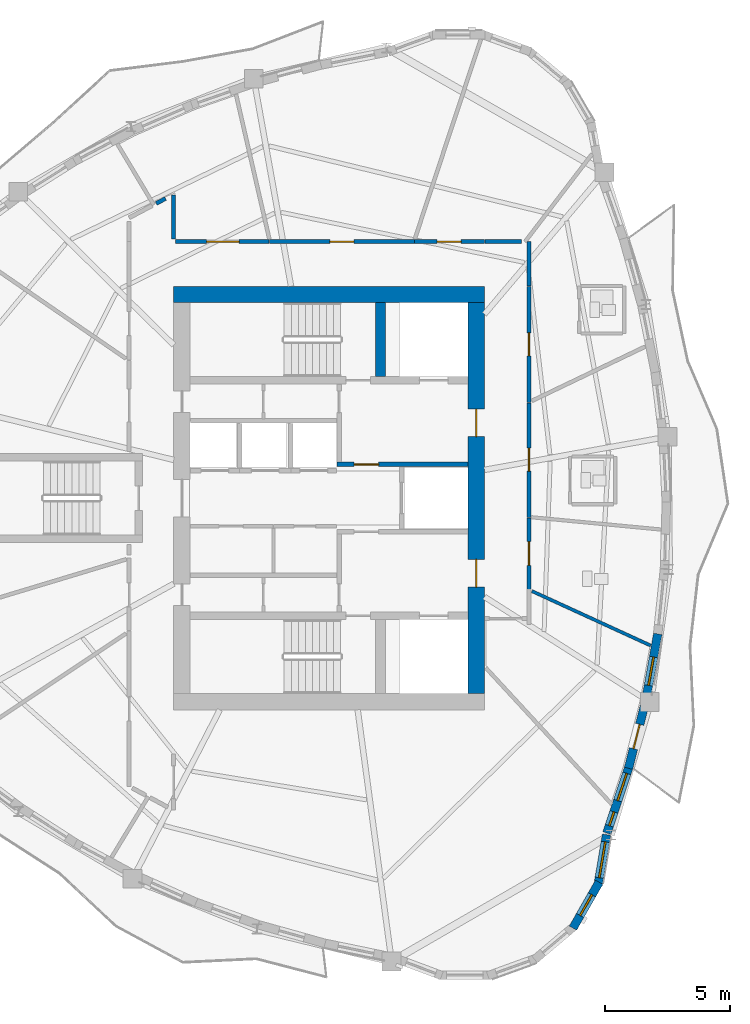
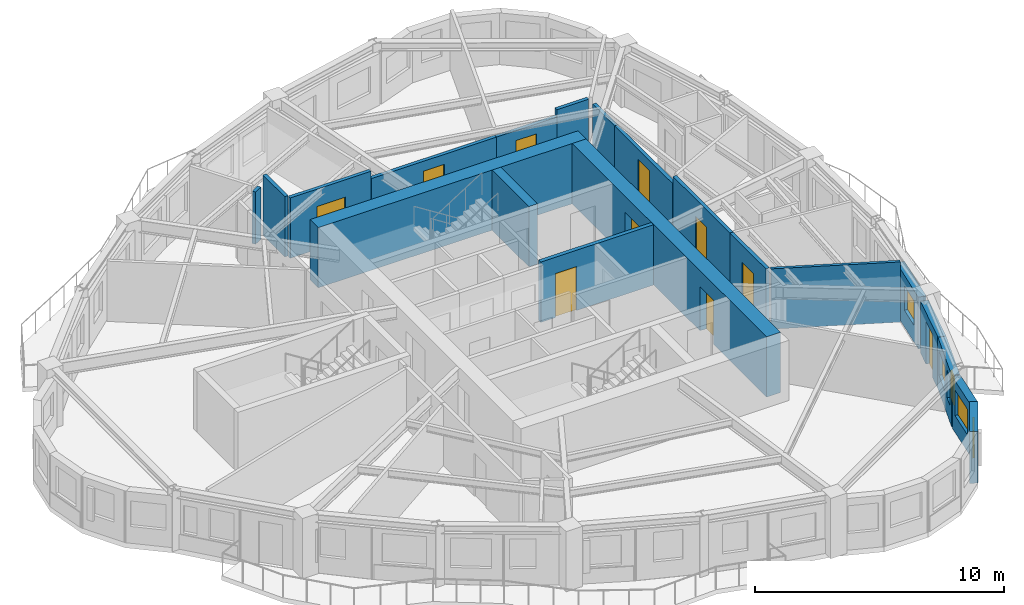
# One storey, part 6 of 12: 20 walls, 10 doors, 5 windows, 15 openings.
"""IFC4 building model written with IfcOpenShell, lengths in metres."""

import ifcopenshell
import ifcopenshell.guid

model = None  # the IFC model being written
_history = None  # IfcOwnerHistory: only IFC2X3 demands one
_inside = {}  # id of a spatial element -> (the spatial element, [elements in it])
_under = {}  # id of a project, library or spatial element -> (it, [spatial elements below it])
_declared = {}  # id of a project -> (the project, [libraries it declares])
_typed = {}  # id of a type object -> (the type object, [elements of that type])
_made_of = {}  # id of a material, layer set ... -> (it, [elements and type objects made of it])


def new_model(schema):
    """Start an empty IFC model of exactly this schema.

    Asked for "IFC4X3", IfcOpenShell would pick the latest addendum, in which some entities
    have other attributes; the version numbers below select the first issue.
    IFC2X3 requires an IfcOwnerHistory on every rooted entity: one is made here for all.
    """
    global model, _history
    if schema == "IFC4X3":
        model = ifcopenshell.file(schema_version=(4, 3, 0, 0))
    else:
        model = ifcopenshell.file(schema=schema)
    _inside.clear()
    _under.clear()
    _declared.clear()
    _typed.clear()
    _made_of.clear()
    _history = None
    if model.schema == "IFC2X3":
        org = make("IfcOrganization", Name="unknown")
        user = make(
            "IfcPersonAndOrganization",
            ThePerson=make("IfcPerson", FamilyName="unknown"),
            TheOrganization=org,
        )
        app = make(
            "IfcApplication",
            ApplicationDeveloper=org,
            Version="unknown",
            ApplicationFullName="unknown",
            ApplicationIdentifier="unknown",
        )
        _history = make(
            "IfcOwnerHistory",
            OwningUser=user,
            OwningApplication=app,
            ChangeAction="ADDED",
            CreationDate=0,
        )
    return model


def make(cls, **values):
    """One entity of the class cls with the attributes given. An attribute that is None is left unset."""
    return model.create_entity(
        cls, **{name: value for name, value in values.items() if value is not None}
    )


def rooted(cls, **values):
    """An entity with a GlobalId (a new one), such as an element, a storey or a relation."""
    return make(cls, GlobalId=ifcopenshell.guid.new(), OwnerHistory=_history, **values)


def si_unit(unit_type, name, prefix=None):
    """IfcSIUnit, for example si_unit("LENGTHUNIT", "METRE", prefix="MILLI")."""
    return make("IfcSIUnit", UnitType=unit_type, Prefix=prefix, Name=name)


def assignment(units):
    """IfcUnitAssignment: the units of a project."""
    return None if units is None else make("IfcUnitAssignment", Units=units)


def point(xyz):
    """IfcCartesianPoint."""
    return None if xyz is None else make("IfcCartesianPoint", Coordinates=xyz)


def direction(xyz):
    """IfcDirection."""
    return None if xyz is None else make("IfcDirection", DirectionRatios=xyz)


def frame(location, z_axis=None, x_axis=None):
    """IfcAxis2Placement3D, a coordinate frame: its origin and axes. An axis left out is left unset."""
    return make(
        "IfcAxis2Placement3D",
        Location=point(location),
        Axis=direction(z_axis),
        RefDirection=direction(x_axis),
    )


def frame_2d(location, x_axis=None):
    """IfcAxis2Placement2D, a coordinate frame in the plane: its origin and x axis."""
    return make(
        "IfcAxis2Placement2D", Location=point(location), RefDirection=direction(x_axis)
    )


def origin():
    """The frame at (0, 0, 0) with its axes left unset."""
    return frame((0.0, 0.0, 0.0))


def place(relative_to, where):
    """IfcLocalPlacement: puts the frame where relative to a parent placement (None: the world)."""
    return make(
        "IfcLocalPlacement", PlacementRelTo=relative_to, RelativePlacement=where
    )


def context(
    kind, dimensions, precision=None, world=None, true_north=None, identifier=None
):
    """IfcGeometricRepresentationContext, for example the 3D "Model" context."""
    return make(
        "IfcGeometricRepresentationContext",
        ContextIdentifier=identifier,
        ContextType=kind,
        CoordinateSpaceDimension=dimensions,
        Precision=precision,
        WorldCoordinateSystem=world,
        TrueNorth=true_north,
    )


def subcontext(parent, identifier, kind, view, scale=None):
    """IfcGeometricRepresentationSubContext, for example "Body" below "Model"."""
    return make(
        "IfcGeometricRepresentationSubContext",
        ContextIdentifier=identifier,
        ContextType=kind,
        ParentContext=parent,
        TargetScale=scale,
        TargetView=view,
    )


def project(units=None, contexts=None):
    """IfcProject with its units and contexts."""
    return rooted(
        "IfcProject",
        Name="project",
        RepresentationContexts=contexts,
        UnitsInContext=assignment(units),
    )


def spatial(cls, under=None, at=None, **own):
    """A site, building, storey or space (cls), placed at a placement, below another one or the project."""
    s = rooted(cls, ObjectPlacement=at, **own)
    if under is not None:
        _under.setdefault(under.id(), (under, []))[1].append(s)
    return s


def profile(cls, at=None, kind="AREA", **sizes):
    """A parametric profile (cls). Its sizes go by their IFC names, for example OverallWidth=200.0."""
    return make(cls, ProfileType=kind, Position=at, **sizes)


def rectangle(**sizes):
    """IfcRectangleProfileDef."""
    return profile("IfcRectangleProfileDef", **sizes)


def extrude(swept, where, along, depth):
    """IfcExtrudedAreaSolid: the profile swept, set in the frame where, extruded along a direction by depth."""
    return make(
        "IfcExtrudedAreaSolid",
        SweptArea=swept,
        Position=where,
        ExtrudedDirection=direction(along),
        Depth=depth,
    )


def shape(context_of_items, identifier, shape_type, items):
    """IfcShapeRepresentation: the items that make up one representation, for example the "Body"."""
    return make(
        "IfcShapeRepresentation",
        ContextOfItems=context_of_items,
        RepresentationIdentifier=identifier,
        RepresentationType=shape_type,
        Items=items,
    )


def source(mapping_origin, context_of_items, identifier, shape_type, items):
    """IfcRepresentationMap: a shape defined once, which mapped items show again and again."""
    return make(
        "IfcRepresentationMap",
        MappingOrigin=mapping_origin,
        MappedRepresentation=shape(context_of_items, identifier, shape_type, items),
    )


def transform(
    local_origin,
    x_axis=None,
    y_axis=None,
    z_axis=None,
    scale=None,
    scale2=None,
    scale3=None,
    uniform=True,
):
    """IfcCartesianTransformationOperator3D, or its non-uniform kind. x_axis, y_axis, z_axis: its Axis1, 2, 3."""
    if uniform:
        return make(
            "IfcCartesianTransformationOperator3D",
            Axis1=direction(x_axis),
            Axis2=direction(y_axis),
            LocalOrigin=point(local_origin),
            Scale=scale,
            Axis3=direction(z_axis),
        )
    return make(
        "IfcCartesianTransformationOperator3DnonUniform",
        Axis1=direction(x_axis),
        Axis2=direction(y_axis),
        LocalOrigin=point(local_origin),
        Scale=scale,
        Axis3=direction(z_axis),
        Scale2=scale2,
        Scale3=scale3,
    )


def mapped(mapping_source, mapping_target):
    """IfcMappedItem: shows the shape of a source again, moved by a transform."""
    return make(
        "IfcMappedItem", MappingSource=mapping_source, MappingTarget=mapping_target
    )


def material(Name=None, Category=None):
    """IfcMaterial."""
    return make("IfcMaterial", Name=Name, Category=Category)


def layer(
    of_material, thickness, ventilated=None, Name=None, Category=None, Priority=None
):
    """IfcMaterialLayer: one layer of a wall or slab, of a material (None: an air gap)."""
    return make(
        "IfcMaterialLayer",
        Material=of_material,
        LayerThickness=thickness,
        IsVentilated=ventilated,
        Name=Name,
        Category=Category,
        Priority=Priority,
    )


def layer_set(layers, Name=None):
    """IfcMaterialLayerSet."""
    return make("IfcMaterialLayerSet", MaterialLayers=layers, LayerSetName=Name)


def made_of(thing, what):
    """Note that an element or type object is made of a material, layer set ...; save() writes the relation."""
    if what is not None:
        _made_of.setdefault(what.id(), (what, []))[1].append(thing)
    return thing


def type_object(cls, material=None, **own):
    """A type object (cls), such as IfcWallType, which elements share."""
    return made_of(rooted(cls, **own), material)


def element(
    cls,
    number,
    at=None,
    inside=None,
    cuts=None,
    type_object=None,
    material=None,
    context=None,
    identifier="Body",
    shape_type=None,
    held_by="IfcProductDefinitionShape",
    body=None,
    shapes=None,
    **own,
):
    """One element of the class cls, such as IfcWall. Its Tag is "e" and its number.

    at: its placement. inside: the storey or other place that contains it. cuts: it is an
    opening in that element (IfcRelVoidsElement). A single representation is given by context,
    identifier, shape_type and body (its items); several are given by shapes. held_by: the class
    of the entity that holds the representations. save() writes the other relations.
    """
    e = rooted(cls, Tag="e%d" % number, ObjectPlacement=at, **own)
    if body is not None:
        shapes = [shape(context, identifier, shape_type, body)]
    if shapes is not None:
        e.Representation = make(held_by, Representations=shapes)
    if inside is not None:
        _inside.setdefault(inside.id(), (inside, []))[1].append(e)
    if cuts is not None:
        rooted(
            "IfcRelVoidsElement", RelatingBuildingElement=cuts, RelatedOpeningElement=e
        )
    if type_object is not None:
        _typed.setdefault(type_object.id(), (type_object, []))[1].append(e)
    return made_of(e, material)


def fill(opening, filler):
    """IfcRelFillsElement: the door or window that sits in an opening."""
    return rooted(
        "IfcRelFillsElement",
        RelatingOpeningElement=opening,
        RelatedBuildingElement=filler,
    )


def aggregate(whole, parts):
    """IfcRelAggregates: a whole, such as a stair, and the parts it consists of."""
    return rooted("IfcRelAggregates", RelatingObject=whole, RelatedObjects=parts)


def save(model, path):
    """Write the relations noted so far, then the file.

    IfcRelAggregates (storeys below a building ...), IfcRelContainedInSpatialStructure (elements
    in a storey), IfcRelDefinesByType, IfcRelAssociatesMaterial and IfcRelDeclares: one each for
    every whole, place, type object, material and project.
    """
    for whole, parts in _under.values():
        aggregate(whole, parts)
    for where, things in _inside.values():
        rooted(
            "IfcRelContainedInSpatialStructure",
            RelatedElements=things,
            RelatingStructure=where,
        )
    for kind, things in _typed.values():
        rooted("IfcRelDefinesByType", RelatedObjects=things, RelatingType=kind)
    for what, things in _made_of.values():
        rooted("IfcRelAssociatesMaterial", RelatedObjects=things, RelatingMaterial=what)
    for by, libraries in _declared.values():
        rooted("IfcRelDeclares", RelatingContext=by, RelatedDefinitions=libraries)
    model.write(path)


model = new_model("IFC4")

# Units and contexts
model_context = context("Model", 3, precision=1e-05, world=origin(), true_north=direction((0.0, 1.0)))
body_context = subcontext(model_context, "Body", "Model", "MODEL_VIEW")
ifc_project = project(units=[si_unit("LENGTHUNIT", "METRE"), si_unit("AREAUNIT", "SQUARE_METRE"), si_unit("VOLUMEUNIT", "CUBIC_METRE"), si_unit("PLANEANGLEUNIT", "RADIAN"), si_unit("MASSUNIT", "GRAM", prefix="KILO")], contexts=[model_context])

# Site, building, storey
site_placement = place(None, origin())
site = spatial("IfcSite", under=ifc_project, at=site_placement, CompositionType="ELEMENT")
building_placement = place(site_placement, origin())
building = spatial("IfcBuilding", under=site, at=building_placement, Name="Qafzar Sky-Pleat Residences", CompositionType="ELEMENT")
storey_placement = place(building_placement, frame((0.0, 0.0, 145.800048828125)))
storey = spatial("IfcBuildingStorey", under=building, at=storey_placement, Name="L43", CompositionType="ELEMENT", Elevation=145.800048828125)

# Wall, opening, door
ifc_material_1 = material(Name="Acoustic gypsum plasterboard partition", Category="gypsum")
ifc_layer_1 = layer(ifc_material_1, 0.159912109375)
ifc_layer_set_1 = layer_set([ifc_layer_1], Name="Acoustic gypsum plasterboard partition")
wall_type_1 = type_object("IfcWallType", Name="PART-COR-160", PredefinedType="PARTITIONING", material=ifc_layer_set_1)
wall_1_placement = place(storey_placement, frame((27.97509765625, 36.22998046875, 0.0), z_axis=(0.0, 0.0, 1.0), x_axis=(1.0, 0.0, 0.0)))
wall_1 = element("IfcWall", 1, at=wall_1_placement, inside=storey, type_object=wall_type_1, Name="L43 Partition Wall PART-L43-PW-002", PredefinedType="PARTITIONING", context=body_context, shape_type="SweptSolid", body=[
    extrude(rectangle(XDim=5.77490234375, YDim=0.159912109375, at=frame_2d((2.887451171875, 0.0))), origin(), (0.0, 0.0, 1.0), 2.587890625),
])
opening_1_placement = place(wall_1_placement, frame((2.407470703125, 0.0, 0.0)))
opening_1 = element("IfcOpeningElement", 2, at=opening_1_placement, cuts=wall_1, Name="Opening ID-06", PredefinedType="OPENING", context=body_context, shape_type="SweptSolid", body=[
    extrude(rectangle(XDim=0.9599609375, YDim=2.10009765625, at=frame_2d((0.47998046875, 1.050048828125))), frame((0.0, 0.08984375, 0.0), z_axis=(0.0, -1.0, 0.0), x_axis=(1.0, 0.0, 0.0)), (0.0, 0.0, 1.0), 0.179931640625),
])
ifc_material_2 = material(Name="Timber-faced fire door", Category="wood")
door_type_1 = type_object("IfcDoorType", Name="DR-STD-960", OperationType="NOTDEFINED", PredefinedType="DOOR", material=ifc_material_2)
shared_shape_1 = source(origin(), body_context, "Body", "SweptSolid", [
    extrude(rectangle(XDim=0.9599609375, YDim=2.10009765625, at=frame_2d((0.47998046875, 1.050048828125))), frame((0.0, 0.02490234375, 0.0), z_axis=(0.0, -1.0, 0.0), x_axis=(1.0, 0.0, 0.0)), (0.0, 0.0, 1.0), 0.050048828125),
])
door_1_placement = place(opening_1_placement, origin())
door_1 = element("IfcDoor", 3, at=door_1_placement, inside=storey, type_object=door_type_1, Name="L43 Scholar Co-Working Workspace Door", OperationType="SINGLE_SWING_LEFT", OverallHeight=2.10009765625, OverallWidth=0.9599609375, PredefinedType="DOOR", context=body_context, shape_type="MappedRepresentation", body=[
    mapped(shared_shape_1, transform((0.0, 0.0, 0.0), x_axis=(1.0, 0.0, 0.0), y_axis=(0.0, 1.0, 0.0), z_axis=(0.0, 0.0, 1.0), scale=1.0)),
])
fill(opening_1, door_1)

wall_2_placement = place(storey_placement, frame((38.330078125, 34.449951171875, 0.0), z_axis=(0.0, 0.0, 1.0), x_axis=(0.0, -1.0, 0.0)))
wall_2 = element("IfcWall", 4, at=wall_2_placement, inside=storey, type_object=wall_type_1, Name="L43 Partition Wall PART-L43-PW-003", PredefinedType="PARTITIONING", context=body_context, shape_type="SweptSolid", body=[
    extrude(rectangle(XDim=4.64306640625, YDim=0.159912109375, at=frame_2d((2.321533203125, 0.0))), origin(), (0.0, 0.0, 1.0), 2.587890625),
])
opening_2_placement = place(wall_2_placement, frame((1.85302734375, 0.0, 0.0)))
opening_2 = element("IfcOpeningElement", 5, at=opening_2_placement, cuts=wall_2, Name="Opening ID-04", PredefinedType="OPENING", context=body_context, shape_type="SweptSolid", body=[
    extrude(rectangle(XDim=0.919921875, YDim=2.10009765625, at=frame_2d((0.4599609375, 1.050048828125))), frame((0.0, 0.08984375, 0.0), z_axis=(0.0, -1.0, 0.0), x_axis=(1.0, 0.0, 0.0)), (0.0, 0.0, 1.0), 0.179931640625),
])
door_type_2 = type_object("IfcDoorType", Name="DR-BED-920", OperationType="NOTDEFINED", PredefinedType="DOOR", material=ifc_material_2)
shared_shape_2 = source(origin(), body_context, "Body", "SweptSolid", [
    extrude(rectangle(XDim=0.919921875, YDim=2.10009765625, at=frame_2d((0.4599609375, 1.050048828125))), frame((0.0, 0.02490234375, 0.0), z_axis=(0.0, -1.0, 0.0), x_axis=(1.0, 0.0, 0.0)), (0.0, 0.0, 1.0), 0.050048828125),
])
door_2_placement = place(opening_2_placement, origin())
door_2 = element("IfcDoor", 6, at=door_2_placement, inside=storey, type_object=door_type_2, Name="L43 Co-Living Bedroom 2 Door", OperationType="SINGLE_SWING_RIGHT", OverallHeight=2.10009765625, OverallWidth=0.919921875, PredefinedType="DOOR", context=body_context, shape_type="MappedRepresentation", body=[
    mapped(shared_shape_2, transform((0.0, 0.0, 0.0), x_axis=(1.0, 0.0, 0.0), y_axis=(0.0, 1.0, 0.0), z_axis=(0.0, 0.0, 1.0), scale=1.0)),
])
fill(opening_2, door_2)

wall_3_placement = place(storey_placement, frame((38.330078125, 29.7919921875, 0.0), z_axis=(0.0, 0.0, 1.0), x_axis=(0.0, -1.0, 0.0)))
wall_3 = element("IfcWall", 7, at=wall_3_placement, inside=storey, type_object=wall_type_1, Name="L43 Partition Wall PART-L43-PW-004", PredefinedType="PARTITIONING", context=body_context, shape_type="SweptSolid", body=[
    extrude(rectangle(XDim=4.56396484375, YDim=0.159912109375, at=frame_2d((2.281982421875, 0.0))), origin(), (0.0, 0.0, 1.0), 2.949951171875),
])
opening_3_placement = place(wall_3_placement, frame((1.798095703125, 0.0, 0.0)))
opening_3 = element("IfcOpeningElement", 8, at=opening_3_placement, cuts=wall_3, Name="Opening ID-04", PredefinedType="OPENING", context=body_context, shape_type="SweptSolid", body=[
    extrude(rectangle(XDim=0.919921875, YDim=2.10009765625, at=frame_2d((0.4599609375, 1.050048828125))), frame((0.0, 0.08984375, 0.0), z_axis=(0.0, -1.0, 0.0), x_axis=(1.0, 0.0, 0.0)), (0.0, 0.0, 1.0), 0.179931640625),
])
door_3_placement = place(opening_3_placement, origin())
door_3 = element("IfcDoor", 9, at=door_3_placement, inside=storey, type_object=door_type_2, Name="L43 Co-Living Bedroom 1 Door", OperationType="SINGLE_SWING_LEFT", OverallHeight=2.10009765625, OverallWidth=0.919921875, PredefinedType="DOOR", context=body_context, shape_type="MappedRepresentation", body=[
    mapped(shared_shape_2, transform((0.0, 0.0, 0.0), x_axis=(1.0, 0.0, 0.0), y_axis=(0.0, 1.0, 0.0), z_axis=(0.0, 0.0, 1.0), scale=1.0)),
])
fill(opening_3, door_3)

wall_4_placement = place(storey_placement, frame((24.215087890625, 36.22998046875, 0.0), z_axis=(0.0, 0.0, 1.0), x_axis=(1.0, 0.0, 0.0)))
wall_4 = element("IfcWall", 10, at=wall_4_placement, inside=storey, type_object=wall_type_1, Name="L43 Partition Wall PART-L43-PW-005", PredefinedType="PARTITIONING", context=body_context, shape_type="SweptSolid", body=[
    extrude(rectangle(XDim=3.744873046875, YDim=0.159912109375, at=frame_2d((1.87255859375, 0.0))), origin(), (0.0, 0.0, 1.0), 2.949951171875),
])
opening_4_placement = place(wall_4_placement, frame((1.2470703125, 0.0, 0.0)))
opening_4 = element("IfcOpeningElement", 11, at=opening_4_placement, cuts=wall_4, Name="Opening ID-05", PredefinedType="OPENING", context=body_context, shape_type="SweptSolid", body=[
    extrude(rectangle(XDim=1.300048828125, YDim=2.10009765625, at=frame_2d((0.64990234375, 1.050048828125))), frame((0.0, 0.08984375, 0.0), z_axis=(0.0, -1.0, 0.0), x_axis=(1.0, 0.0, 0.0)), (0.0, 0.0, 1.0), 0.179931640625),
])
door_type_3 = type_object("IfcDoorType", Name="DR-LNG-1300", OperationType="DOUBLE_DOOR_SINGLE_SWING", PredefinedType="DOOR", material=ifc_material_2)
shared_shape_3 = source(origin(), body_context, "Body", "SweptSolid", [
    extrude(rectangle(XDim=1.300048828125, YDim=2.10009765625, at=frame_2d((0.64990234375, 1.050048828125))), frame((0.0, 0.02490234375, 0.0), z_axis=(0.0, -1.0, 0.0), x_axis=(1.0, 0.0, 0.0)), (0.0, 0.0, 1.0), 0.050048828125),
])
door_4_placement = place(opening_4_placement, origin())
door_4 = element("IfcDoor", 12, at=door_4_placement, inside=storey, type_object=door_type_3, Name="L43 Communal Kitchen Door", OperationType="DOUBLE_DOOR_SINGLE_SWING", OverallHeight=2.10009765625, OverallWidth=1.300048828125, PredefinedType="DOOR", context=body_context, shape_type="MappedRepresentation", body=[
    mapped(shared_shape_3, transform((0.0, 0.0, 0.0), x_axis=(1.0, 0.0, 0.0), y_axis=(0.0, 1.0, 0.0), z_axis=(0.0, 0.0, 1.0), scale=1.0)),
])
fill(opening_4, door_4)

wall_5_placement = place(storey_placement, frame((38.330078125, 25.212890625, 0.0), z_axis=(0.0, 0.0, 1.0), x_axis=(0.0, -1.0, 0.0)))
wall_5 = element("IfcWall", 13, at=wall_5_placement, inside=storey, type_object=wall_type_1, Name="L43 Partition Wall PART-L43-PW-009", PredefinedType="PARTITIONING", context=body_context, shape_type="SweptSolid", body=[
    extrude(rectangle(XDim=2.889892578125, YDim=0.159912109375, at=frame_2d((1.44482421875, 0.0))), origin(), (0.0, 0.0, 1.0), 2.949951171875),
])
opening_5_placement = place(wall_5_placement, frame((0.946044921875, 0.0, 0.0)))
opening_5 = element("IfcOpeningElement", 14, at=opening_5_placement, cuts=wall_5, Name="Opening ID-08", PredefinedType="OPENING", context=body_context, shape_type="SweptSolid", body=[
    extrude(rectangle(XDim=0.949951171875, YDim=2.10009765625, at=frame_2d((0.47509765625, 1.050048828125))), frame((0.0, 0.08984375, 0.0), z_axis=(0.0, -1.0, 0.0), x_axis=(1.0, 0.0, 0.0)), (0.0, 0.0, 1.0), 0.179931640625),
])
door_type_4 = type_object("IfcDoorType", Name="DR-AWC-950", OperationType="NOTDEFINED", PredefinedType="DOOR", material=ifc_material_2)
shared_shape_4 = source(origin(), body_context, "Body", "SweptSolid", [
    extrude(rectangle(XDim=0.949951171875, YDim=2.10009765625, at=frame_2d((0.47509765625, 1.050048828125))), frame((0.0, 0.02490234375, 0.0), z_axis=(0.0, -1.0, 0.0), x_axis=(1.0, 0.0, 0.0)), (0.0, 0.0, 1.0), 0.050048828125),
])
door_5_placement = place(opening_5_placement, origin())
door_5 = element("IfcDoor", 15, at=door_5_placement, inside=storey, type_object=door_type_4, Name="L43 Accessible Shared Washroom Door", OperationType="SINGLE_SWING_RIGHT", OverallHeight=2.10009765625, OverallWidth=0.949951171875, PredefinedType="DOOR", context=body_context, shape_type="MappedRepresentation", body=[
    mapped(shared_shape_4, transform((0.0, 0.0, 0.0), x_axis=(1.0, 0.0, 0.0), y_axis=(0.0, 1.0, 0.0), z_axis=(0.0, 0.0, 1.0), scale=1.0)),
])
fill(opening_5, door_5)

wall_6_placement = place(storey_placement, frame((33.764892578125, 36.22998046875, 0.0), z_axis=(0.0, 0.0, 1.0), x_axis=(1.0, 0.0, 0.0)))
wall_6 = element("IfcWall", 16, at=wall_6_placement, inside=storey, type_object=wall_type_1, Name="L43 Partition Wall PART-L43-PW-010", PredefinedType="PARTITIONING", context=body_context, shape_type="SweptSolid", body=[
    extrude(rectangle(XDim=2.78515625, YDim=0.159912109375, at=frame_2d((1.392578125, 0.0))), origin(), (0.0, 0.0, 1.0), 2.587890625),
])
opening_6_placement = place(wall_6_placement, frame((0.89697265625, 0.0, 0.0)))
opening_6 = element("IfcOpeningElement", 17, at=opening_6_placement, cuts=wall_6, Name="Opening ID-06", PredefinedType="OPENING", context=body_context, shape_type="SweptSolid", body=[
    extrude(rectangle(XDim=0.9599609375, YDim=2.10009765625, at=frame_2d((0.47998046875, 1.050048828125))), frame((0.0, 0.08984375, 0.0), z_axis=(0.0, -1.0, 0.0), x_axis=(1.0, 0.0, 0.0)), (0.0, 0.0, 1.0), 0.179931640625),
])
door_6_placement = place(opening_6_placement, origin())
door_6 = element("IfcDoor", 18, at=door_6_placement, inside=storey, type_object=door_type_1, Name="L43 Reading Library Door", OperationType="SINGLE_SWING_LEFT", OverallHeight=2.10009765625, OverallWidth=0.9599609375, PredefinedType="DOOR", context=body_context, shape_type="MappedRepresentation", body=[
    mapped(shared_shape_1, transform((0.0, 0.0, 0.0), x_axis=(1.0, 0.0, 0.0), y_axis=(0.0, 1.0, 0.0), z_axis=(0.0, 0.0, 1.0), scale=1.0)),
])
fill(opening_6, door_6)

# Walls
wall_7_placement = place(storey_placement, frame((38.330078125, 34.465087890625, 0.0), z_axis=(0.0, 0.0, 1.0), x_axis=(0.0, 1.0, 0.0)))
element("IfcWall", 19, at=wall_7_placement, inside=storey, type_object=wall_type_1, Name="L43 Partition Wall PART-L43-PW-034", PredefinedType="PARTITIONING", context=body_context, shape_type="SweptSolid", body=[
    extrude(rectangle(XDim=1.764892578125, YDim=0.159912109375, at=frame_2d((0.88232421875, 0.0))), origin(), (0.0, 0.0, 1.0), 2.587890625),
])
wall_8_placement = place(storey_placement, frame((24.14990234375, 36.339111328125, 0.0), z_axis=(0.0, 0.0, 1.0), x_axis=(0.0, 1.0, 0.0)))
element("IfcWall", 20, at=wall_8_placement, inside=storey, type_object=wall_type_1, Name="L43 Partition Wall PART-L43-PW-035", PredefinedType="PARTITIONING", context=body_context, shape_type="SweptSolid", body=[
    extrude(rectangle(XDim=1.7568359375, YDim=0.159912109375, at=frame_2d((0.87841796875, 0.0))), origin(), (0.0, 0.0, 1.0), 2.949951171875),
])
wall_9_placement = place(storey_placement, frame((36.56494140625, 36.22998046875, 0.0), z_axis=(0.0, 0.0, 1.0), x_axis=(1.0, 0.0, 0.0)))
element("IfcWall", 21, at=wall_9_placement, inside=storey, type_object=wall_type_1, Name="L43 Partition Wall PART-L43-PW-036", PredefinedType="PARTITIONING", context=body_context, shape_type="SweptSolid", body=[
    extrude(rectangle(XDim=1.463623046875, YDim=0.159912109375, at=frame_2d((0.73193359375, 0.0))), origin(), (0.0, 0.0, 1.0), 2.949951171875),
])
wall_10_placement = place(storey_placement, frame((23.452392578125, 37.7587890625, 0.0), z_axis=(0.0, 0.0, 1.0), x_axis=(0.884665257528, 0.466226749686, 0.0)))
element("IfcWall", 22, at=wall_10_placement, inside=storey, type_object=wall_type_1, Name="L43 Partition Wall PART-L43-PW-043", PredefinedType="PARTITIONING", context=body_context, shape_type="SweptSolid", body=[
    extrude(rectangle(XDim=0.4189453125, YDim=0.159912109375, at=frame_2d((0.20947265625, 0.0))), origin(), (0.0, 0.0, 1.0), 2.557861328125),
])

# Wall, opening, door
ifc_material_3 = material(Name="Concrete blockwork partition", Category="masonry")
ifc_layer_2 = layer(ifc_material_3, 0.179931640625)
ifc_layer_set_2 = layer_set([ifc_layer_2], Name="Concrete blockwork partition")
wall_type_2 = type_object("IfcWallType", Name="PART-SHAFT-180", PredefinedType="PARTITIONING", material=ifc_layer_set_2)
wall_11_placement = place(storey_placement, frame((30.669921875, 27.340087890625, 0.0), z_axis=(0.0, 0.0, 1.0), x_axis=(1.0, 0.0, 0.0)))
wall_11 = element("IfcWall", 23, at=wall_11_placement, inside=storey, type_object=wall_type_2, Name="L43 Partition Wall PART-L43-FFL2-S", PredefinedType="PARTITIONING", context=body_context, shape_type="SweptSolid", body=[
    extrude(rectangle(XDim=5.219970703125, YDim=0.179931640625, at=frame_2d((2.60986328125, 0.0))), origin(), (0.0, 0.0, 1.0), 2.949951171875),
])
opening_7_placement = place(wall_11_placement, frame((0.679931640625, 0.0, 0.0)))
opening_7 = element("IfcOpeningElement", 24, at=opening_7_placement, cuts=wall_11, Name="Opening ID-01", PredefinedType="OPENING", context=body_context, shape_type="SweptSolid", body=[
    extrude(rectangle(XDim=0.97998046875, YDim=2.14990234375, at=frame_2d((0.489990234375, 1.074951171875))), frame((0.0, 0.10009765625, 0.0), z_axis=(0.0, -1.0, 0.0), x_axis=(1.0, 0.0, 0.0)), (0.0, 0.0, 1.0), 0.199951171875),
])
door_type_5 = type_object("IfcDoorType", Name="DR-STAIR-980", OperationType="NOTDEFINED", PredefinedType="DOOR", material=ifc_material_2)
shared_shape_5 = source(origin(), body_context, "Body", "SweptSolid", [
    extrude(rectangle(XDim=0.97998046875, YDim=2.14990234375, at=frame_2d((0.489990234375, 1.074951171875))), frame((0.0, 0.02490234375, 0.0), z_axis=(0.0, -1.0, 0.0), x_axis=(1.0, 0.0, 0.0)), (0.0, 0.0, 1.0), 0.050048828125),
])
door_7_placement = place(opening_7_placement, origin())
door_7 = element("IfcDoor", 25, at=door_7_placement, inside=storey, type_object=door_type_5, Name="L43 Lift Lobby to North Firefighting Lobby Door", OperationType="SINGLE_SWING_LEFT", OverallHeight=2.14990234375, OverallWidth=0.97998046875, PredefinedType="DOOR", context=body_context, shape_type="MappedRepresentation", body=[
    mapped(shared_shape_5, transform((0.0, 0.0, 0.0), x_axis=(1.0, 0.0, 0.0), y_axis=(0.0, 1.0, 0.0), z_axis=(0.0, 0.0, 1.0), scale=1.0)),
])
fill(opening_7, door_7)

# Wall
ifc_material_4 = material(Name="Moisture-resistant gypsum partition", Category="gypsum")
ifc_layer_3 = layer(ifc_material_4, 0.1298828125)
ifc_layer_set_3 = layer_set([ifc_layer_3], Name="Moisture-resistant gypsum partition")
wall_type_3 = type_object("IfcWallType", Name="PART-WET-130", PredefinedType="PARTITIONING", material=ifc_layer_set_3)
wall_12_placement = place(storey_placement, frame((38.4443359375, 22.28759765625, 0.0), z_axis=(0.0, 0.0, 1.0), x_axis=(0.908945866603, -0.416914153736, 0.0)))
element("IfcWall", 26, at=wall_12_placement, inside=storey, type_object=wall_type_3, Name="L43 Partition Wall PART-L43-PW-021", PredefinedType="PARTITIONING", context=body_context, shape_type="SweptSolid", body=[
    extrude(rectangle(XDim=5.216552734375, YDim=0.1298828125, at=frame_2d((2.6083984375, 0.0))), origin(), (0.0, 0.0, 1.0), 2.949951171875),
])

# Wall, opening, window
ifc_material_5 = material(Name="Precast concrete C40/50 with honed Riyadh limestone", Category="concrete")
ifc_layer_4 = layer(ifc_material_5, 0.340087890625)
ifc_layer_set_4 = layer_set([ifc_layer_4], Name="Precast concrete C40/50 with honed Riyadh limestone")
wall_type_4 = type_object("IfcWallType", Name="WALL-EXT-340", PredefinedType="SOLIDWALL", material=ifc_layer_set_4)
wall_13_placement = place(storey_placement, frame((40.082275390625, 8.83837890625, 0.0), z_axis=(0.0, 0.0, 1.0), x_axis=(0.495764837717, 0.868456807034, 0.0)))
wall_13 = element("IfcWall", 27, at=wall_13_placement, inside=storey, type_object=wall_type_4, Name="L43 Limestone Facade Wall 21", PredefinedType="SOLIDWALL", context=body_context, shape_type="SweptSolid", body=[
    extrude(rectangle(XDim=2.108642578125, YDim=0.340087890625, at=frame_2d((1.05419921875, 0.0))), origin(), (0.0, 0.0, 1.0), 2.530029296875),
])
opening_8_placement = place(wall_13_placement, frame((0.579345703125, 0.0, 0.820068359375)))
opening_8 = element("IfcOpeningElement", 28, at=opening_8_placement, cuts=wall_13, Name="Opening WN-12", PredefinedType="OPENING", context=body_context, shape_type="SweptSolid", body=[
    extrude(rectangle(XDim=0.949951171875, YDim=1.35009765625, at=frame_2d((0.47509765625, 0.675048828125))), frame((0.0, 0.18017578125, 0.0), z_axis=(0.0, -1.0, 0.0), x_axis=(1.0, 0.0, 0.0)), (0.0, 0.0, 1.0), 0.360107421875),
])
ifc_material_6 = material(Name="Solar-control low-E glass in bronze aluminium frame", Category="glass")
window_type_1 = type_object("IfcWindowType", Name="WIN-12", PartitioningType="SINGLE_PANEL", PredefinedType="WINDOW", material=ifc_material_6)
shared_shape_6 = source(origin(), body_context, "Body", "SweptSolid", [
    extrude(rectangle(XDim=0.949951171875, YDim=1.35009765625, at=frame_2d((0.47509765625, 0.675048828125))), frame((0.0, 0.030029296875, 0.0), z_axis=(0.0, -1.0, 0.0), x_axis=(1.0, 0.0, 0.0)), (0.0, 0.0, 1.0), 0.06005859375),
])
window_1_placement = place(opening_8_placement, origin())
window_1 = element("IfcWindow", 29, at=window_1_placement, inside=storey, type_object=window_type_1, Name="L43 Punched Facade Window 21", OverallHeight=1.35009765625, OverallWidth=0.949951171875, PartitioningType="SINGLE_PANEL", PredefinedType="WINDOW", context=body_context, shape_type="MappedRepresentation", body=[
    mapped(shared_shape_6, transform((0.0, 0.0, 0.0), x_axis=(1.0, 0.0, 0.0), y_axis=(0.0, 1.0, 0.0), z_axis=(0.0, 0.0, 1.0), scale=1.0)),
])
fill(opening_8, window_1)

wall_14_placement = place(storey_placement, frame((41.08251953125, 10.54296875, 0.0), z_axis=(0.0, 0.0, 1.0), x_axis=(0.165711561454, 0.986174263708, 0.0)))
wall_14 = element("IfcWall", 30, at=wall_14_placement, inside=storey, type_object=wall_type_4, Name="L43 Limestone Facade Wall 22", PredefinedType="SOLIDWALL", context=body_context, shape_type="SweptSolid", body=[
    extrude(rectangle(XDim=2.05078125, YDim=0.340087890625, at=frame_2d((1.025390625, 0.0))), origin(), (0.0, 0.0, 1.0), 2.530029296875),
])
opening_9_placement = place(wall_14_placement, frame((0.310302734375, 0.0, 0.820068359375)))
opening_9 = element("IfcOpeningElement", 31, at=opening_9_placement, cuts=wall_14, Name="Opening WN-15", PredefinedType="OPENING", context=body_context, shape_type="SweptSolid", body=[
    extrude(rectangle(XDim=1.449951171875, YDim=1.25, at=frame_2d((0.72509765625, 0.625))), frame((0.0, 0.18017578125, 0.0), z_axis=(0.0, -1.0, 0.0), x_axis=(1.0, 0.0, 0.0)), (0.0, 0.0, 1.0), 0.360107421875),
])
window_type_2 = type_object("IfcWindowType", Name="WIN-15", PartitioningType="SINGLE_PANEL", PredefinedType="WINDOW", material=ifc_material_6)
shared_shape_7 = source(origin(), body_context, "Body", "SweptSolid", [
    extrude(rectangle(XDim=1.449951171875, YDim=1.25, at=frame_2d((0.72509765625, 0.625))), frame((0.0, 0.030029296875, 0.0), z_axis=(0.0, -1.0, 0.0), x_axis=(1.0, 0.0, 0.0)), (0.0, 0.0, 1.0), 0.06005859375),
])
window_2_placement = place(opening_9_placement, origin())
window_2 = element("IfcWindow", 32, at=window_2_placement, inside=storey, type_object=window_type_2, Name="L43 Punched Facade Window 22", OverallHeight=1.25, OverallWidth=1.449951171875, PartitioningType="SINGLE_PANEL", PredefinedType="WINDOW", context=body_context, shape_type="MappedRepresentation", body=[
    mapped(shared_shape_7, transform((0.0, 0.0, 0.0), x_axis=(1.0, 0.0, 0.0), y_axis=(0.0, 1.0, 0.0), z_axis=(0.0, 0.0, 1.0), scale=1.0)),
])
fill(opening_9, window_2)

# Wall, openings, windows
wall_15_placement = place(storey_placement, frame((41.438232421875, 12.62939453125, 0.0), z_axis=(0.0, 0.0, 1.0), x_axis=(0.314534815528, 0.949245937479, 0.0)))
wall_15 = element("IfcWall", 33, at=wall_15_placement, inside=storey, type_object=wall_type_4, Name="L43 Limestone Facade Wall 23", PredefinedType="SOLIDWALL", context=body_context, shape_type="SweptSolid", body=[
    extrude(rectangle(XDim=2.81298828125, YDim=0.340087890625, at=frame_2d((1.406494140625, 0.0))), origin(), (0.0, 0.0, 1.0), 2.530029296875),
])
opening_10_placement = place(wall_15_placement, frame((0.311767578125, 0.0, 0.820068359375)))
opening_10 = element("IfcOpeningElement", 34, at=opening_10_placement, cuts=wall_15, Name="Opening WN-17", PredefinedType="OPENING", context=body_context, shape_type="SweptSolid", body=[
    extrude(rectangle(XDim=0.580078125, YDim=1.35009765625, at=frame_2d((0.2900390625, 0.675048828125))), frame((0.0, 0.18017578125, 0.0), z_axis=(0.0, -1.0, 0.0), x_axis=(1.0, 0.0, 0.0)), (0.0, 0.0, 1.0), 0.360107421875),
])
opening_11_placement = place(wall_15_placement, frame((1.36328125, 0.0, 0.820068359375)))
opening_11 = element("IfcOpeningElement", 35, at=opening_11_placement, cuts=wall_15, Name="Opening WN-16", PredefinedType="OPENING", context=body_context, shape_type="SweptSolid", body=[
    extrude(rectangle(XDim=1.14990234375, YDim=1.199951171875, at=frame_2d((0.574951171875, 0.60009765625))), frame((0.0, 0.18017578125, 0.0), z_axis=(0.0, -1.0, 0.0), x_axis=(1.0, 0.0, 0.0)), (0.0, 0.0, 1.0), 0.360107421875),
])
window_type_3 = type_object("IfcWindowType", Name="WIN-17", PartitioningType="SINGLE_PANEL", PredefinedType="WINDOW", material=ifc_material_6)
shared_shape_8 = source(origin(), body_context, "Body", "SweptSolid", [
    extrude(rectangle(XDim=0.580078125, YDim=1.35009765625, at=frame_2d((0.2900390625, 0.675048828125))), frame((0.0, 0.030029296875, 0.0), z_axis=(0.0, -1.0, 0.0), x_axis=(1.0, 0.0, 0.0)), (0.0, 0.0, 1.0), 0.06005859375),
])
window_3_placement = place(opening_10_placement, origin())
window_3 = element("IfcWindow", 36, at=window_3_placement, inside=storey, type_object=window_type_3, Name="L43 Punched Facade Window 23", OverallHeight=1.35009765625, OverallWidth=0.580078125, PartitioningType="SINGLE_PANEL", PredefinedType="WINDOW", context=body_context, shape_type="MappedRepresentation", body=[
    mapped(shared_shape_8, transform((0.0, 0.0, 0.0), x_axis=(1.0, 0.0, 0.0), y_axis=(0.0, 1.0, 0.0), z_axis=(0.0, 0.0, 1.0), scale=1.0)),
])
fill(opening_10, window_3)
window_type_4 = type_object("IfcWindowType", Name="WIN-16", PartitioningType="SINGLE_PANEL", PredefinedType="WINDOW", material=ifc_material_6)
shared_shape_9 = source(origin(), body_context, "Body", "SweptSolid", [
    extrude(rectangle(XDim=1.14990234375, YDim=1.199951171875, at=frame_2d((0.574951171875, 0.60009765625))), frame((0.0, 0.030029296875, 0.0), z_axis=(0.0, -1.0, 0.0), x_axis=(1.0, 0.0, 0.0)), (0.0, 0.0, 1.0), 0.06005859375),
])
window_4_placement = place(opening_11_placement, origin())
window_4 = element("IfcWindow", 37, at=window_4_placement, inside=storey, type_object=window_type_4, Name="L43 Punched Facade Window 23-2", OverallHeight=1.199951171875, OverallWidth=1.14990234375, PartitioningType="SINGLE_PANEL", PredefinedType="WINDOW", context=body_context, shape_type="MappedRepresentation", body=[
    mapped(shared_shape_9, transform((0.0, 0.0, 0.0), x_axis=(1.0, 0.0, 0.0), y_axis=(0.0, 1.0, 0.0), z_axis=(0.0, 0.0, 1.0), scale=1.0)),
])
fill(opening_11, window_4)

# Wall, opening, door
wall_16_placement = place(storey_placement, frame((42.298095703125, 15.21533203125, 0.0), z_axis=(0.0, 0.0, 1.0), x_axis=(0.24779460158, 0.968812590457, 0.0)))
wall_16 = element("IfcWall", 38, at=wall_16_placement, inside=storey, type_object=wall_type_4, Name="L43 Limestone Facade Wall 24", PredefinedType="SOLIDWALL", context=body_context, shape_type="SweptSolid", body=[
    extrude(rectangle(XDim=2.619873046875, YDim=0.340087890625, at=frame_2d((1.31005859375, 0.0))), origin(), (0.0, 0.0, 1.0), 2.530029296875),
])
opening_12_placement = place(wall_16_placement, frame((0.809814453125, 0.0, 0.0)))
opening_12 = element("IfcOpeningElement", 39, at=opening_12_placement, cuts=wall_16, Name="Opening ED-05", PredefinedType="OPENING", context=body_context, shape_type="SweptSolid", body=[
    extrude(rectangle(XDim=1.0, YDim=2.10009765625, at=frame_2d((0.5, 1.050048828125))), frame((0.0, 0.18017578125, 0.0), z_axis=(0.0, -1.0, 0.0), x_axis=(1.0, 0.0, 0.0)), (0.0, 0.0, 1.0), 0.360107421875),
])
ifc_material_7 = material(Name="Glazed bronze aluminium door", Category="aluminium")
door_type_6 = type_object("IfcDoorType", Name="DR-BAL-1000", OperationType="NOTDEFINED", PredefinedType="DOOR", material=ifc_material_7)
shared_shape_10 = source(origin(), body_context, "Body", "SweptSolid", [
    extrude(rectangle(XDim=1.0, YDim=2.10009765625, at=frame_2d((0.5, 1.050048828125))), frame((0.0, 0.02490234375, 0.0), z_axis=(0.0, -1.0, 0.0), x_axis=(1.0, 0.0, 0.0)), (0.0, 0.0, 1.0), 0.050048828125),
])
door_8_placement = place(opening_12_placement, origin())
door_8 = element("IfcDoor", 40, at=door_8_placement, inside=storey, type_object=door_type_6, Name="L43 Glazed Balcony Door 1", OperationType="SINGLE_SWING_LEFT", OverallHeight=2.10009765625, OverallWidth=1.0, PredefinedType="DOOR", context=body_context, shape_type="MappedRepresentation", body=[
    mapped(shared_shape_10, transform((0.0, 0.0, 0.0), x_axis=(1.0, 0.0, 0.0), y_axis=(0.0, 1.0, 0.0), z_axis=(0.0, 0.0, 1.0), scale=1.0)),
])
fill(opening_12, door_8)

# Wall, opening, window
wall_17_placement = place(storey_placement, frame((43.010498046875, 18.044189453125, 0.0), z_axis=(0.0, 0.0, 1.0), x_axis=(0.177116262048, 0.984189935794, 0.0)))
wall_17 = element("IfcWall", 41, at=wall_17_placement, inside=storey, type_object=wall_type_4, Name="L43 Limestone Facade Wall 25", PredefinedType="SOLIDWALL", context=body_context, shape_type="SweptSolid", body=[
    extrude(rectangle(XDim=2.574951171875, YDim=0.340087890625, at=frame_2d((1.28759765625, 0.0))), origin(), (0.0, 0.0, 1.0), 2.530029296875),
])
opening_13_placement = place(wall_17_placement, frame((0.489013671875, 0.0, 0.820068359375)))
opening_13 = element("IfcOpeningElement", 42, at=opening_13_placement, cuts=wall_17, Name="Opening WN-16", PredefinedType="OPENING", context=body_context, shape_type="SweptSolid", body=[
    extrude(rectangle(XDim=1.14990234375, YDim=1.199951171875, at=frame_2d((0.574951171875, 0.60009765625))), frame((0.0, 0.18017578125, 0.0), z_axis=(0.0, -1.0, 0.0), x_axis=(1.0, 0.0, 0.0)), (0.0, 0.0, 1.0), 0.360107421875),
])
window_5_placement = place(opening_13_placement, origin())
window_5 = element("IfcWindow", 43, at=window_5_placement, inside=storey, type_object=window_type_4, Name="L43 Punched Facade Window 25", OverallHeight=1.199951171875, OverallWidth=1.14990234375, PartitioningType="SINGLE_PANEL", PredefinedType="WINDOW", context=body_context, shape_type="MappedRepresentation", body=[
    mapped(shared_shape_9, transform((0.0, 0.0, 0.0), x_axis=(1.0, 0.0, 0.0), y_axis=(0.0, 1.0, 0.0), z_axis=(0.0, 0.0, 1.0), scale=1.0)),
])
fill(opening_13, window_5)

# Walls
ifc_material_8 = material(Name="Concrete C60/75", Category="concrete")
ifc_layer_5 = layer(ifc_material_8, 0.39990234375)
ifc_layer_set_5 = layer_set([ifc_layer_5], Name="Concrete C60/75")
wall_type_5 = type_object("IfcWallType", Name="WALL-SHEAR-400", PredefinedType="SHEAR", material=ifc_layer_set_5)
wall_18_placement = place(storey_placement, frame((32.39990234375, 30.85009765625, 0.0), z_axis=(0.0, 0.0, 1.0), x_axis=(0.0, 1.0, 0.0)))
element("IfcWall", 44, at=wall_18_placement, inside=storey, type_object=wall_type_5, Name="L43 Stair ST2 East Dividing Wall", PredefinedType="SHEAR", context=body_context, shape_type="SweptSolid", body=[
    extrude(rectangle(XDim=2.949951171875, YDim=0.39990234375, at=frame_2d((1.47509765625, 0.0))), origin(), (0.0, 0.0, 1.0), 2.949951171875),
])
ifc_layer_6 = layer(ifc_material_8, 0.64990234375)
ifc_layer_set_6 = layer_set([ifc_layer_6], Name="Concrete C60/75")
wall_type_6 = type_object("IfcWallType", Name="WALL-SHEAR-650", PredefinedType="SHEAR", material=ifc_layer_set_6)
wall_19_placement = place(storey_placement, frame((36.550048828125, 34.125, 0.0), z_axis=(0.0, 0.0, 1.0), x_axis=(-1.0, 0.0, 0.0)))
element("IfcWall", 45, at=wall_19_placement, inside=storey, type_object=wall_type_6, Name="L43 CORE wall N", PredefinedType="SHEAR", context=body_context, shape_type="SweptSolid", body=[
    extrude(rectangle(XDim=12.400146484375, YDim=0.64990234375, at=frame_2d((6.2001953125, 0.0))), origin(), (0.0, 0.0, 1.0), 2.949951171875),
])

# Wall, openings, doors
wall_20_placement = place(storey_placement, frame((36.22509765625, 18.199951171875, 0.0), z_axis=(0.0, 0.0, 1.0), x_axis=(0.0, 1.0, 0.0)))
wall_20 = element("IfcWall", 46, at=wall_20_placement, inside=storey, type_object=wall_type_6, Name="L43 CORE wall E", PredefinedType="SHEAR", context=body_context, shape_type="SweptSolid", body=[
    extrude(rectangle(XDim=15.60009765625, YDim=0.64990234375, at=frame_2d((7.800048828125, 0.0))), origin(), (0.0, 0.0, 1.0), 2.949951171875),
])
opening_14_placement = place(wall_20_placement, frame((4.25, 0.0, 0.0)))
opening_14 = element("IfcOpeningElement", 47, at=opening_14_placement, cuts=wall_20, Name="Opening ID-02", PredefinedType="OPENING", context=body_context, shape_type="SweptSolid", body=[
    extrude(rectangle(XDim=1.10009765625, YDim=2.14990234375, at=frame_2d((0.550048828125, 1.074951171875))), frame((0.0, 0.3349609375, 0.0), z_axis=(0.0, -1.0, 0.0), x_axis=(1.0, 0.0, 0.0)), (0.0, 0.0, 1.0), 0.669921875),
])
opening_15_placement = place(wall_20_placement, frame((10.25, 0.0, 0.0)))
opening_15 = element("IfcOpeningElement", 48, at=opening_15_placement, cuts=wall_20, Name="Opening ID-02", PredefinedType="OPENING", context=body_context, shape_type="SweptSolid", body=[
    extrude(rectangle(XDim=1.10009765625, YDim=2.14990234375, at=frame_2d((0.550048828125, 1.074951171875))), frame((0.0, 0.3349609375, 0.0), z_axis=(0.0, -1.0, 0.0), x_axis=(1.0, 0.0, 0.0)), (0.0, 0.0, 1.0), 0.669921875),
])
door_type_7 = type_object("IfcDoorType", Name="DR-FFL-1100", OperationType="NOTDEFINED", PredefinedType="DOOR", material=ifc_material_2)
shared_shape_11 = source(origin(), body_context, "Body", "SweptSolid", [
    extrude(rectangle(XDim=1.10009765625, YDim=2.14990234375, at=frame_2d((0.550048828125, 1.074951171875))), frame((0.0, 0.02490234375, 0.0), z_axis=(0.0, -1.0, 0.0), x_axis=(1.0, 0.0, 0.0)), (0.0, 0.0, 1.0), 0.050048828125),
])
door_9_placement = place(opening_14_placement, origin())
door_9 = element("IfcDoor", 49, at=door_9_placement, inside=storey, type_object=door_type_7, Name="L43 Firefighting Lobby South Corridor Door", OperationType="SINGLE_SWING_RIGHT", OverallHeight=2.14990234375, OverallWidth=1.10009765625, PredefinedType="DOOR", context=body_context, shape_type="MappedRepresentation", body=[
    mapped(shared_shape_11, transform((0.0, 0.0, 0.0), x_axis=(1.0, 0.0, 0.0), y_axis=(0.0, 1.0, 0.0), z_axis=(0.0, 0.0, 1.0), scale=1.0)),
])
fill(opening_14, door_9)
door_10_placement = place(opening_15_placement, origin())
door_10 = element("IfcDoor", 50, at=door_10_placement, inside=storey, type_object=door_type_7, Name="L43 Firefighting Lobby North Corridor Door", OperationType="SINGLE_SWING_LEFT", OverallHeight=2.14990234375, OverallWidth=1.10009765625, PredefinedType="DOOR", context=body_context, shape_type="MappedRepresentation", body=[
    mapped(shared_shape_11, transform((0.0, 0.0, 0.0), x_axis=(1.0, 0.0, 0.0), y_axis=(0.0, 1.0, 0.0), z_axis=(0.0, 0.0, 1.0), scale=1.0)),
])
fill(opening_15, door_10)

save(model, "model.ifc")
